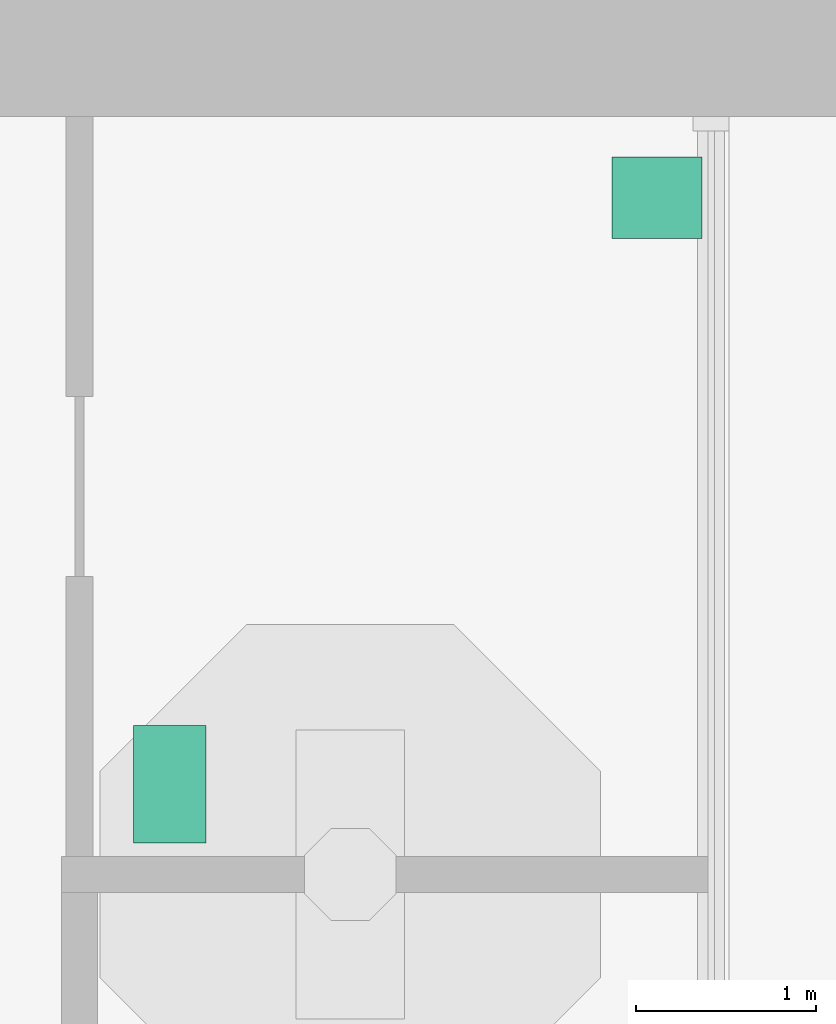
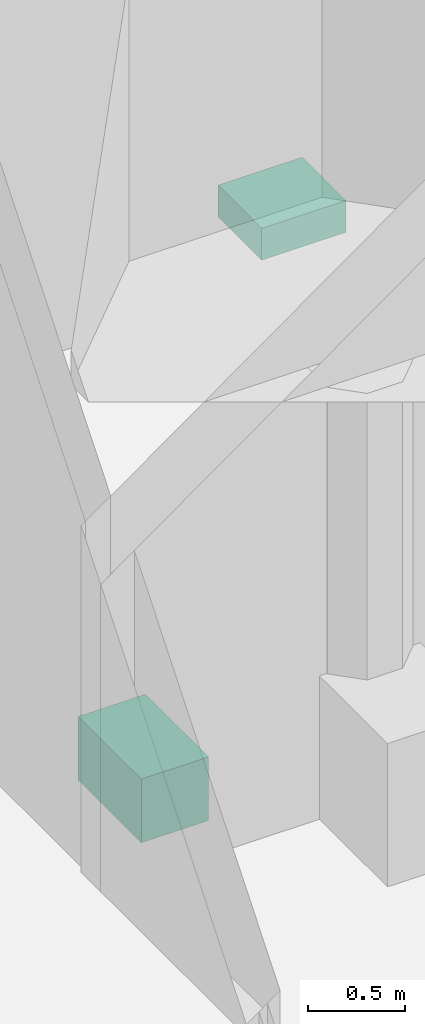
# One storey, part 25 of 28: 2 sanitary terminals.
"""IFC4 building model written with IfcOpenShell, lengths in metres."""

from ifc_helpers import new_model, si_unit, direction, frame, origin, origin_2d, place, context, subcontext, project, spatial, rectangle, extrude, material, element, save


model = new_model("IFC4")

# Units and contexts
model_context = context("Model", 3, precision=1e-05, world=origin(), true_north=direction((0.0, 1.0)))
body_context = subcontext(model_context, "Body", "Model", "MODEL_VIEW")
ifc_project = project(units=[si_unit("LENGTHUNIT", "METRE"), si_unit("AREAUNIT", "SQUARE_METRE"), si_unit("VOLUMEUNIT", "CUBIC_METRE"), si_unit("PLANEANGLEUNIT", "RADIAN"), si_unit("MASSUNIT", "GRAM", prefix="KILO")], contexts=[model_context])

# Site, building, storey
site_placement = place(None, origin())
site = spatial("IfcSite", under=ifc_project, at=site_placement, CompositionType="ELEMENT")
building_placement = place(site_placement, origin())
building = spatial("IfcBuilding", under=site, at=building_placement, Name="Vermilion Gate Residences", CompositionType="ELEMENT")
storey_placement = place(building_placement, frame((0.0, 0.0, 74.199951171875)))
storey = spatial("IfcBuildingStorey", under=building, at=storey_placement, Name="L18", CompositionType="ELEMENT", Elevation=74.199951171875)

# Sanitary terminals
ifc_material = material(Name="Vitreous china")
sanitary_terminal_1_placement = place(storey_placement, frame((19.699951171875, 38.300048828125, 0.0), z_axis=(0.0, 0.0, 1.0), x_axis=(1.0, 0.0, 0.0)))
element("IfcSanitaryTerminal", 1, at=sanitary_terminal_1_placement, inside=storey, material=ifc_material, Name="Water closet 1", PredefinedType="TOILETPAN", context=body_context, shape_type="SweptSolid", body=[
    extrude(rectangle(XDim=0.39990234375, YDim=0.64990234375, at=origin_2d()), origin(), (0.0, 0.0, 1.0), 0.39990234375),
])
sanitary_terminal_2_placement = place(storey_placement, frame((22.39990234375, 41.550048828125, 0.7001953125), z_axis=(0.0, 0.0, 1.0), x_axis=(1.0, 0.0, 0.0)))
element("IfcSanitaryTerminal", 2, at=sanitary_terminal_2_placement, inside=storey, material=ifc_material, Name="Wash basin 2", PredefinedType="WASHHANDBASIN", context=body_context, shape_type="SweptSolid", body=[
    extrude(rectangle(XDim=0.5, YDim=0.449951171875, at=origin_2d()), origin(), (0.0, 0.0, 1.0), 0.199951171875),
])

save(model, "model.ifc")
